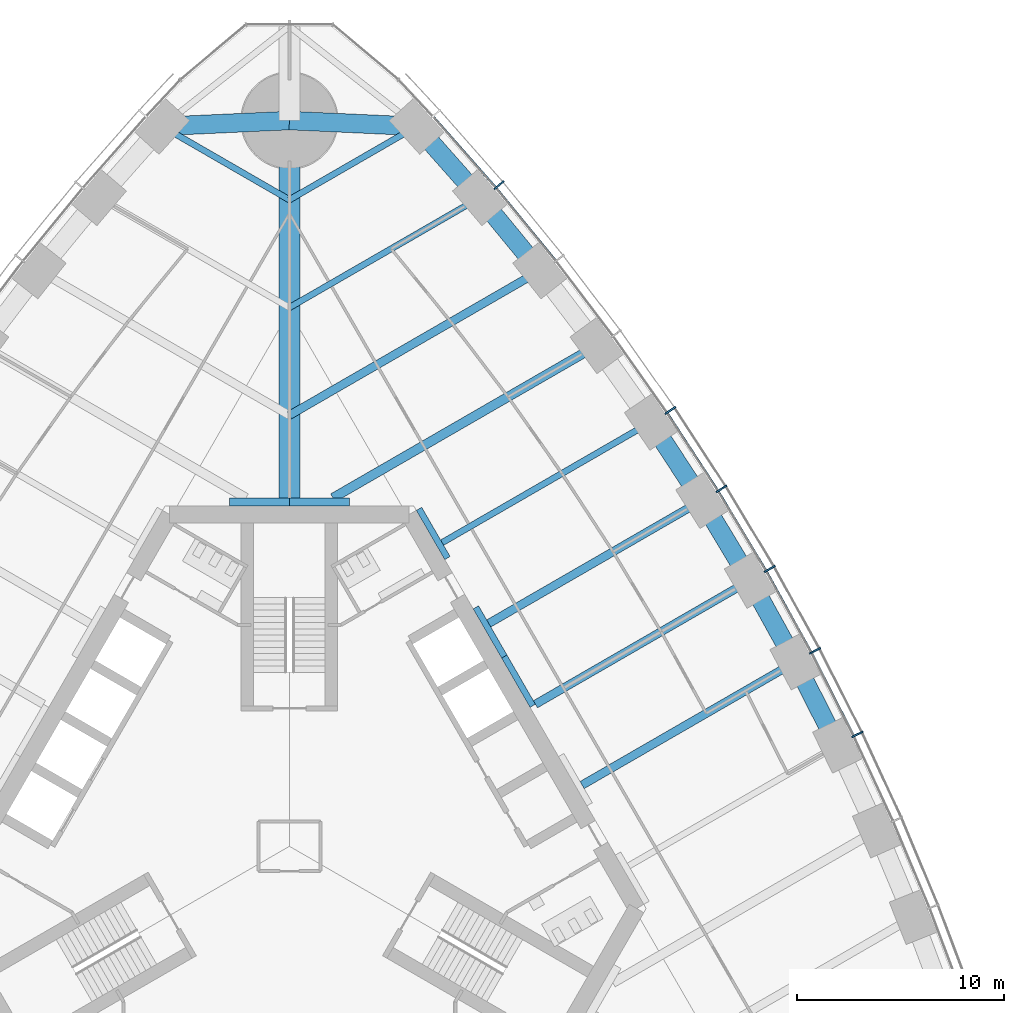
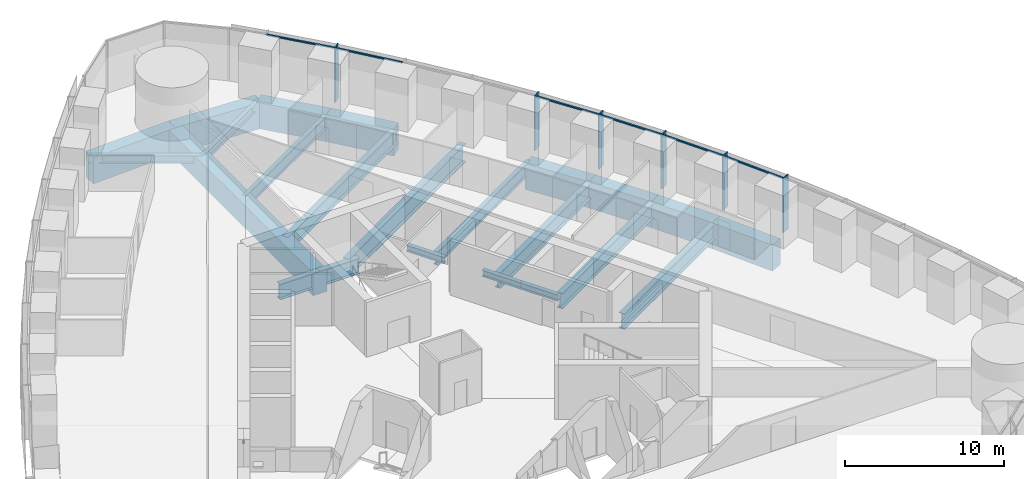
# One storey, part 5 of 18: 23 beams, 12 members, 1 element without a shape of its own.
"""IFC4 building model written with IfcOpenShell, lengths in metres."""

import ifcopenshell
import ifcopenshell.guid

model = None  # the IFC model being written
_history = None  # IfcOwnerHistory: only IFC2X3 demands one
_inside = {}  # id of a spatial element -> (the spatial element, [elements in it])
_under = {}  # id of a project, library or spatial element -> (it, [spatial elements below it])
_declared = {}  # id of a project -> (the project, [libraries it declares])
_typed = {}  # id of a type object -> (the type object, [elements of that type])
_made_of = {}  # id of a material, layer set ... -> (it, [elements and type objects made of it])


def new_model(schema):
    """Start an empty IFC model of exactly this schema.

    Asked for "IFC4X3", IfcOpenShell would pick the latest addendum, in which some entities
    have other attributes; the version numbers below select the first issue.
    IFC2X3 requires an IfcOwnerHistory on every rooted entity: one is made here for all.
    """
    global model, _history
    if schema == "IFC4X3":
        model = ifcopenshell.file(schema_version=(4, 3, 0, 0))
    else:
        model = ifcopenshell.file(schema=schema)
    _inside.clear()
    _under.clear()
    _declared.clear()
    _typed.clear()
    _made_of.clear()
    _history = None
    if model.schema == "IFC2X3":
        org = make("IfcOrganization", Name="unknown")
        user = make(
            "IfcPersonAndOrganization",
            ThePerson=make("IfcPerson", FamilyName="unknown"),
            TheOrganization=org,
        )
        app = make(
            "IfcApplication",
            ApplicationDeveloper=org,
            Version="unknown",
            ApplicationFullName="unknown",
            ApplicationIdentifier="unknown",
        )
        _history = make(
            "IfcOwnerHistory",
            OwningUser=user,
            OwningApplication=app,
            ChangeAction="ADDED",
            CreationDate=0,
        )
    return model


def make(cls, **values):
    """One entity of the class cls with the attributes given. An attribute that is None is left unset."""
    return model.create_entity(
        cls, **{name: value for name, value in values.items() if value is not None}
    )


def rooted(cls, **values):
    """An entity with a GlobalId (a new one), such as an element, a storey or a relation."""
    return make(cls, GlobalId=ifcopenshell.guid.new(), OwnerHistory=_history, **values)


def si_unit(unit_type, name, prefix=None):
    """IfcSIUnit, for example si_unit("LENGTHUNIT", "METRE", prefix="MILLI")."""
    return make("IfcSIUnit", UnitType=unit_type, Prefix=prefix, Name=name)


def assignment(units):
    """IfcUnitAssignment: the units of a project."""
    return None if units is None else make("IfcUnitAssignment", Units=units)


def point(xyz):
    """IfcCartesianPoint."""
    return None if xyz is None else make("IfcCartesianPoint", Coordinates=xyz)


def direction(xyz):
    """IfcDirection."""
    return None if xyz is None else make("IfcDirection", DirectionRatios=xyz)


def frame(location, z_axis=None, x_axis=None):
    """IfcAxis2Placement3D, a coordinate frame: its origin and axes. An axis left out is left unset."""
    return make(
        "IfcAxis2Placement3D",
        Location=point(location),
        Axis=direction(z_axis),
        RefDirection=direction(x_axis),
    )


def frame_2d(location, x_axis=None):
    """IfcAxis2Placement2D, a coordinate frame in the plane: its origin and x axis."""
    return make(
        "IfcAxis2Placement2D", Location=point(location), RefDirection=direction(x_axis)
    )


def origin():
    """The frame at (0, 0, 0) with its axes left unset."""
    return frame((0.0, 0.0, 0.0))


def origin_2d():
    """The frame at (0, 0) in the plane with its x axis left unset."""
    return frame_2d((0.0, 0.0))


def place(relative_to, where):
    """IfcLocalPlacement: puts the frame where relative to a parent placement (None: the world)."""
    return make(
        "IfcLocalPlacement", PlacementRelTo=relative_to, RelativePlacement=where
    )


def context(
    kind, dimensions, precision=None, world=None, true_north=None, identifier=None
):
    """IfcGeometricRepresentationContext, for example the 3D "Model" context."""
    return make(
        "IfcGeometricRepresentationContext",
        ContextIdentifier=identifier,
        ContextType=kind,
        CoordinateSpaceDimension=dimensions,
        Precision=precision,
        WorldCoordinateSystem=world,
        TrueNorth=true_north,
    )


def subcontext(parent, identifier, kind, view, scale=None):
    """IfcGeometricRepresentationSubContext, for example "Body" below "Model"."""
    return make(
        "IfcGeometricRepresentationSubContext",
        ContextIdentifier=identifier,
        ContextType=kind,
        ParentContext=parent,
        TargetScale=scale,
        TargetView=view,
    )


def project(units=None, contexts=None):
    """IfcProject with its units and contexts."""
    return rooted(
        "IfcProject",
        Name="project",
        RepresentationContexts=contexts,
        UnitsInContext=assignment(units),
    )


def spatial(cls, under=None, at=None, **own):
    """A site, building, storey or space (cls), placed at a placement, below another one or the project."""
    s = rooted(cls, ObjectPlacement=at, **own)
    if under is not None:
        _under.setdefault(under.id(), (under, []))[1].append(s)
    return s


def profile(cls, at=None, kind="AREA", **sizes):
    """A parametric profile (cls). Its sizes go by their IFC names, for example OverallWidth=200.0."""
    return make(cls, ProfileType=kind, Position=at, **sizes)


def rectangle(**sizes):
    """IfcRectangleProfileDef."""
    return profile("IfcRectangleProfileDef", **sizes)


def i_section(**sizes):
    """IfcIShapeProfileDef."""
    return profile("IfcIShapeProfileDef", **sizes)


def extrude(swept, where, along, depth):
    """IfcExtrudedAreaSolid: the profile swept, set in the frame where, extruded along a direction by depth."""
    return make(
        "IfcExtrudedAreaSolid",
        SweptArea=swept,
        Position=where,
        ExtrudedDirection=direction(along),
        Depth=depth,
    )


def shape(context_of_items, identifier, shape_type, items):
    """IfcShapeRepresentation: the items that make up one representation, for example the "Body"."""
    return make(
        "IfcShapeRepresentation",
        ContextOfItems=context_of_items,
        RepresentationIdentifier=identifier,
        RepresentationType=shape_type,
        Items=items,
    )


def material(Name=None, Category=None):
    """IfcMaterial."""
    return make("IfcMaterial", Name=Name, Category=Category)


def material_profile(
    of_material, cross_section, Name=None, Category=None, Priority=None
):
    """IfcMaterialProfile: a cross section and its material."""
    return make(
        "IfcMaterialProfile",
        Name=Name,
        Material=of_material,
        Profile=cross_section,
        Priority=Priority,
        Category=Category,
    )


def profile_set(profiles, Name=None, composite=None):
    """IfcMaterialProfileSet."""
    return make(
        "IfcMaterialProfileSet",
        Name=Name,
        MaterialProfiles=profiles,
        CompositeProfile=composite,
    )


def made_of(thing, what):
    """Note that an element or type object is made of a material, layer set ...; save() writes the relation."""
    if what is not None:
        _made_of.setdefault(what.id(), (what, []))[1].append(thing)
    return thing


def type_object(cls, material=None, **own):
    """A type object (cls), such as IfcWallType, which elements share."""
    return made_of(rooted(cls, **own), material)


def element(
    cls,
    number,
    at=None,
    inside=None,
    cuts=None,
    type_object=None,
    material=None,
    context=None,
    identifier="Body",
    shape_type=None,
    held_by="IfcProductDefinitionShape",
    body=None,
    shapes=None,
    **own,
):
    """One element of the class cls, such as IfcWall. Its Tag is "e" and its number.

    at: its placement. inside: the storey or other place that contains it. cuts: it is an
    opening in that element (IfcRelVoidsElement). A single representation is given by context,
    identifier, shape_type and body (its items); several are given by shapes. held_by: the class
    of the entity that holds the representations. save() writes the other relations.
    """
    e = rooted(cls, Tag="e%d" % number, ObjectPlacement=at, **own)
    if body is not None:
        shapes = [shape(context, identifier, shape_type, body)]
    if shapes is not None:
        e.Representation = make(held_by, Representations=shapes)
    if inside is not None:
        _inside.setdefault(inside.id(), (inside, []))[1].append(e)
    if cuts is not None:
        rooted(
            "IfcRelVoidsElement", RelatingBuildingElement=cuts, RelatedOpeningElement=e
        )
    if type_object is not None:
        _typed.setdefault(type_object.id(), (type_object, []))[1].append(e)
    return made_of(e, material)


def aggregate(whole, parts):
    """IfcRelAggregates: a whole, such as a stair, and the parts it consists of."""
    return rooted("IfcRelAggregates", RelatingObject=whole, RelatedObjects=parts)


def save(model, path):
    """Write the relations noted so far, then the file.

    IfcRelAggregates (storeys below a building ...), IfcRelContainedInSpatialStructure (elements
    in a storey), IfcRelDefinesByType, IfcRelAssociatesMaterial and IfcRelDeclares: one each for
    every whole, place, type object, material and project.
    """
    for whole, parts in _under.values():
        aggregate(whole, parts)
    for where, things in _inside.values():
        rooted(
            "IfcRelContainedInSpatialStructure",
            RelatedElements=things,
            RelatingStructure=where,
        )
    for kind, things in _typed.values():
        rooted("IfcRelDefinesByType", RelatedObjects=things, RelatingType=kind)
    for what, things in _made_of.values():
        rooted("IfcRelAssociatesMaterial", RelatedObjects=things, RelatingMaterial=what)
    for by, libraries in _declared.values():
        rooted("IfcRelDeclares", RelatingContext=by, RelatedDefinitions=libraries)
    model.write(path)


model = new_model("IFC4")

# Units and contexts
model_context = context("Model", 3, precision=1e-05, world=origin(), true_north=direction((0.0, 1.0)))
body_context = subcontext(model_context, "Body", "Model", "MODEL_VIEW")
ifc_project = project(units=[si_unit("LENGTHUNIT", "METRE"), si_unit("AREAUNIT", "SQUARE_METRE"), si_unit("VOLUMEUNIT", "CUBIC_METRE"), si_unit("PLANEANGLEUNIT", "RADIAN"), si_unit("MASSUNIT", "GRAM", prefix="KILO")], contexts=[model_context])

# Site, building, storey
site_placement = place(None, origin())
site = spatial("IfcSite", under=ifc_project, at=site_placement, CompositionType="ELEMENT")
building_placement = place(site_placement, origin())
building = spatial("IfcBuilding", under=site, at=building_placement, Name="Trefoil Bronze Tower", CompositionType="ELEMENT")
storey_placement = place(building_placement, frame((0.0, 0.0, 115.699951171875)))
storey = spatial("IfcBuildingStorey", under=building, at=storey_placement, Name="L26", CompositionType="ELEMENT", Elevation=115.699951171875)

# Curtain wall, members
ifc_material_1 = material(Name="Tinted solar-control glass", Category="glass")
curtain_wall_type = type_object("IfcCurtainWallType", Name="Bronze office curtain wall", PredefinedType="USERDEFINED", material=ifc_material_1)
curtain_wall_placement = place(storey_placement, origin())
curtain_wall = element("IfcCurtainWall", 1, at=curtain_wall_placement, inside=storey, type_object=curtain_wall_type, Name="CW-A L26 F2", ObjectType="CURTAIN WALL", PredefinedType="USERDEFINED")
ifc_material_2 = material(Name="Bronze-finish aluminium", Category="aluminium")
ifc_material_profile_1 = material_profile(ifc_material_2, rectangle(XDim=0.60009765625, YDim=0.080078125, at=origin_2d()), Name="CW-A mullion")
ifc_profile_set_1 = profile_set([ifc_material_profile_1], Name="Bronze-finish aluminium")
member_type_1 = type_object("IfcMemberType", Name="Bronze office curtain wall mullion", PredefinedType="MULLION", material=ifc_profile_set_1)
member_1_placement = place(storey_placement, frame((27.394775390625, 5.399169921875, 0.0), z_axis=(0.0, 0.0, 1.0), x_axis=(-0.899819602033, -0.436262173236, 0.0)))
member_1 = element("IfcMember", 2, at=member_1_placement, type_object=member_type_1, Name="CW-A L26 F2 mullion 6", PredefinedType="MULLION", context=body_context, shape_type="SweptSolid", body=[
    extrude(rectangle(XDim=0.60009765625, YDim=0.080078125, at=origin_2d()), origin(), (0.0, 0.0, 1.0), 4.179931640625),
])
member_2_placement = place(storey_placement, frame((25.350830078125, 9.427734375, 0.0), z_axis=(0.0, 0.0, 1.0), x_axis=(-0.883486441467, -0.468456729853, 0.0)))
member_2 = element("IfcMember", 3, at=member_2_placement, type_object=member_type_1, Name="CW-A L26 F2 mullion 7", PredefinedType="MULLION", context=body_context, shape_type="SweptSolid", body=[
    extrude(rectangle(XDim=0.60009765625, YDim=0.080078125, at=origin_2d()), origin(), (0.0, 0.0, 1.0), 4.179931640625),
])
member_3_placement = place(storey_placement, frame((23.166015625, 13.374755859375, 0.0), z_axis=(0.0, 0.0, 1.0), x_axis=(-0.866025403784, -0.5, 0.0)))
member_3 = element("IfcMember", 4, at=member_3_placement, type_object=member_type_1, Name="CW-A L26 F2 mullion 8", PredefinedType="MULLION", context=body_context, shape_type="SweptSolid", body=[
    extrude(rectangle(XDim=0.60009765625, YDim=0.080078125, at=origin_2d()), origin(), (0.0, 0.0, 1.0), 4.179931640625),
])
member_4_placement = place(storey_placement, frame((20.840087890625, 17.24072265625, 0.0), z_axis=(0.0, 0.0, 1.0), x_axis=(-0.84743864936, -0.530893337283, 0.0)))
member_4 = element("IfcMember", 5, at=member_4_placement, type_object=member_type_1, Name="CW-A L26 F2 mullion 9", PredefinedType="MULLION", context=body_context, shape_type="SweptSolid", body=[
    extrude(rectangle(XDim=0.60009765625, YDim=0.080078125, at=origin_2d()), origin(), (0.0, 0.0, 1.0), 4.179931640625),
])
member_5_placement = place(storey_placement, frame((18.373046875, 21.025146484375, 0.0), z_axis=(0.0, 0.0, 1.0), x_axis=(-0.827723925749, -0.561135547566, 0.0)))
member_5 = element("IfcMember", 6, at=member_5_placement, type_object=member_type_1, Name="CW-A L26 F2 mullion 10", PredefinedType="MULLION", context=body_context, shape_type="SweptSolid", body=[
    extrude(rectangle(XDim=0.60009765625, YDim=0.080078125, at=origin_2d()), origin(), (0.0, 0.0, 1.0), 4.179931640625),
])
member_6_placement = place(storey_placement, frame((10.11474609375, 31.8828125, 0.0), z_axis=(0.0, 0.0, 1.0), x_axis=(-0.761721651066, -0.647904411389, 0.0)))
member_6 = element("IfcMember", 7, at=member_6_placement, type_object=member_type_1, Name="CW-A L26 F2 mullion 13", PredefinedType="MULLION", context=body_context, shape_type="SweptSolid", body=[
    extrude(rectangle(XDim=0.60009765625, YDim=0.080078125, at=origin_2d()), origin(), (0.0, 0.0, 1.0), 4.179931640625),
])
ifc_material_3 = material(Name="Bronze-finish aluminium", Category="aluminium")
ifc_material_profile_2 = material_profile(ifc_material_3, rectangle(XDim=0.1201171875, YDim=0.10009765625, at=origin_2d()), Name="CW-A transom")
ifc_profile_set_2 = profile_set([ifc_material_profile_2], Name="Bronze-finish aluminium")
member_type_2 = type_object("IfcMemberType", Name="Bronze office curtain wall transom", PredefinedType="USERDEFINED", material=ifc_profile_set_2)
member_7_placement = place(storey_placement, frame((27.196044921875, 5.34912109375, 4.130126953125), z_axis=(-0.452478489814, 0.891775317138, 0.0), x_axis=(-0.891775317138, -0.452478489814, 0.0)))
member_7 = element("IfcMember", 8, at=member_7_placement, type_object=member_type_2, Name="CW-A L26 F2 transom 6", ObjectType="TRANSOM", PredefinedType="USERDEFINED", context=body_context, shape_type="SweptSolid", body=[
    extrude(rectangle(XDim=0.1201171875, YDim=0.10009765625, at=origin_2d()), origin(), (0.0, 0.0, 1.0), 4.426513671875),
])
member_8_placement = place(storey_placement, frame((25.154052734375, 9.37060546875, 4.130126953125), z_axis=(-0.484329470343, 0.874885686337, 0.0), x_axis=(-0.874885686337, -0.484329470343, 0.0)))
member_8 = element("IfcMember", 9, at=member_8_placement, type_object=member_type_2, Name="CW-A L26 F2 transom 7", ObjectType="TRANSOM", PredefinedType="USERDEFINED", context=body_context, shape_type="SweptSolid", body=[
    extrude(rectangle(XDim=0.1201171875, YDim=0.10009765625, at=origin_2d()), origin(), (0.0, 0.0, 1.0), 4.4208984375),
])
member_9_placement = place(storey_placement, frame((22.97119140625, 13.310546875, 4.130126953125), z_axis=(-0.515526794174, 0.856873458854, 0.0), x_axis=(-0.856873458854, -0.515526794174, 0.0)))
member_9 = element("IfcMember", 10, at=member_9_placement, type_object=member_type_2, Name="CW-A L26 F2 transom 8", ObjectType="TRANSOM", PredefinedType="USERDEFINED", context=body_context, shape_type="SweptSolid", body=[
    extrude(rectangle(XDim=0.1201171875, YDim=0.10009765625, at=origin_2d()), origin(), (0.0, 0.0, 1.0), 4.4208984375),
])
member_10_placement = place(storey_placement, frame((20.647705078125, 17.16943359375, 4.130126953125), z_axis=(-0.546079336226, 0.837733465099, 0.0), x_axis=(-0.837733465099, -0.546079336226, 0.0)))
member_10 = element("IfcMember", 11, at=member_10_placement, type_object=member_type_2, Name="CW-A L26 F2 transom 9", ObjectType="TRANSOM", PredefinedType="USERDEFINED", context=body_context, shape_type="SweptSolid", body=[
    extrude(rectangle(XDim=0.1201171875, YDim=0.10009765625, at=origin_2d()), origin(), (0.0, 0.0, 1.0), 4.426513671875),
])
member_11_placement = place(storey_placement, frame((12.82861328125, 28.255615234375, 4.130126953125), z_axis=(-0.633848872297, 0.773456919995, 0.0), x_axis=(-0.773456919995, -0.633848872297, 0.0)))
member_11 = element("IfcMember", 12, at=member_11_placement, type_object=member_type_2, Name="CW-A L26 F2 transom 12", ObjectType="TRANSOM", PredefinedType="USERDEFINED", context=body_context, shape_type="SweptSolid", body=[
    extrude(rectangle(XDim=0.1201171875, YDim=0.10009765625, at=origin_2d()), origin(), (0.0, 0.0, 1.0), 4.480224609375),
])
member_12_placement = place(storey_placement, frame((9.9345703125, 31.78466796875, 4.130126953125), z_axis=(-0.66173618877, 0.749736764786, 0.0), x_axis=(-0.749736764786, -0.66173618877, 0.0)))
member_12 = element("IfcMember", 13, at=member_12_placement, type_object=member_type_2, Name="CW-A L26 F2 transom 13", ObjectType="TRANSOM", PredefinedType="USERDEFINED", context=body_context, shape_type="SweptSolid", body=[
    extrude(rectangle(XDim=0.1201171875, YDim=0.10009765625, at=origin_2d()), origin(), (0.0, 0.0, 1.0), 4.510986328125),
])
aggregate(curtain_wall, [member_1, member_2, member_3, member_4, member_5, member_6, member_7, member_8, member_9, member_10, member_11, member_12])

# Beams
ifc_material_4 = material(Name="Steel C355", Category="steel")
ifc_material_profile_3 = material_profile(ifc_material_4, i_section(OverallWidth=0.300048828125, OverallDepth=0.5, WebThickness=0.014404296875, FlangeThickness=0.028076171875, FilletRadius=0.027099609375, at=origin_2d()), Name="HEB 500")
ifc_profile_set_3 = profile_set([ifc_material_profile_3], Name="Steel C355")
beam_type_1 = type_object("IfcBeamType", Name="Core seat beam HEB 500", PredefinedType="BEAM", material=ifc_profile_set_3)
for number, where, z_axis, x_axis, name in (
    (14, (11.734619140625, 6.77490234375, -0.449951171875), (-0.499969057507, 0.866043267704, 0.0), (-0.866043267704, -0.499969057507, 0.0), "Core seat beam F2/+0 L26"),
    (15, (10.363525390625, 9.14990234375, -0.449951171875), (-0.500035825175, 0.866004719122, 0.0), (-0.866004719122, -0.500035825175, 0.0), "Core seat beam F2/+1 L26"),
    (16, (7.62109375, 13.89990234375, -0.449951171875), (-0.500035825175, 0.866004719122, 0.0), (-0.866004719122, -0.500035825175, 0.0), "Core seat beam F2/+2 L26"),
):
    element("IfcBeam", number, at=place(storey_placement, frame(where, z_axis=z_axis, x_axis=x_axis)), inside=storey, type_object=beam_type_1, Name=name, PredefinedType="BEAM", context=body_context, shape_type="SweptSolid", body=[
        extrude(i_section(OverallWidth=0.300048828125, OverallDepth=0.5, WebThickness=0.014404296875, FlangeThickness=0.028076171875, FilletRadius=0.027099609375, at=origin_2d()), origin(), (0.0, 0.0, 1.0), 2.742431640625),
    ])
ifc_material_5 = material(Name="Steel C355", Category="steel")
ifc_material_profile_4 = material_profile(ifc_material_5, i_section(OverallWidth=0.39990234375, OverallDepth=1.199951171875, WebThickness=0.02001953125, FlangeThickness=0.0400390625, FilletRadius=0.010009765625, at=origin_2d()), Name="WPG 1200")
ifc_profile_set_4 = profile_set([ifc_material_profile_4], Name="Steel C355")
beam_type_2 = type_object("IfcBeamType", Name="Core seat beam WPG 1200", PredefinedType="BEAM", material=ifc_profile_set_4)
for number, where, z_axis, x_axis, name in (
    (17, (2.88671875, 16.60009765625, -0.800048828125), (-1.0, 0.0, 0.0), (0.0, -1.0, 0.0), "Core seat beam F2/+3 L26"),
    (18, (0.0, 16.60009765625, -0.800048828125), (-1.0, 0.0, 0.0), (0.0, -1.0, 0.0), "Core seat beam F3/-3 L26"),
):
    element("IfcBeam", number, at=place(storey_placement, frame(where, z_axis=z_axis, x_axis=x_axis)), inside=storey, type_object=beam_type_2, Name=name, PredefinedType="BEAM", context=body_context, shape_type="SweptSolid", body=[
        extrude(i_section(OverallWidth=0.39990234375, OverallDepth=1.199951171875, WebThickness=0.02001953125, FlangeThickness=0.0400390625, FilletRadius=0.010009765625, at=origin_2d()), origin(), (0.0, 0.0, 1.0), 2.88671875),
    ])
ifc_material_6 = material(Name="Concrete B80", Category="concrete")
ifc_material_profile_5 = material_profile(ifc_material_6, rectangle(XDim=1.0, YDim=1.699951171875, at=origin_2d()), Name="RC 1000x1700")
ifc_profile_set_5 = profile_set([ifc_material_profile_5], Name="Concrete B80")
beam_type_3 = type_object("IfcBeamType", Name="Corner girder RC 1000x1700", PredefinedType="BEAM", material=ifc_profile_set_5)
beam_1_placement = place(storey_placement, frame((0.0, 16.39990234375, -1.050048828125), z_axis=(0.0, 1.0, 0.0), x_axis=(-1.0, 0.0, 0.0)))
element("IfcBeam", 19, at=beam_1_placement, inside=storey, type_object=beam_type_3, Name="Corner girder K2 L26", PredefinedType="BEAM", context=body_context, shape_type="SweptSolid", body=[
    extrude(rectangle(XDim=1.0, YDim=1.699951171875, at=origin_2d()), origin(), (0.0, 0.0, 1.0), 18.60009765625),
])
ifc_material_7 = material(Name="Concrete B80", Category="concrete")
ifc_material_profile_6 = material_profile(ifc_material_7, rectangle(XDim=0.89990234375, YDim=2.0, at=origin_2d()), Name="RC 900x2000")
ifc_profile_set_6 = profile_set([ifc_material_profile_6], Name="Concrete B80")
beam_type_4 = type_object("IfcBeamType", Name="End spandrel beam RC 900x2000", PredefinedType="SPANDREL", material=ifc_profile_set_6)
for number, where, z_axis, x_axis, name in (
    (20, (6.13916015625, 34.72119140625, -1.199951171875), (-0.998970341464, 0.045368015985, 0.0), (-0.045368015985, -0.998970341464, 0.0), "Spandrel F2.14 L26"),
    (21, (0.0, 35.0, -1.199951171875), (-0.998970341464, -0.045368015985, 0.0), (0.045368015985, -0.998970341464, 0.0), "Spandrel F3.1 L26"),
):
    element("IfcBeam", number, at=place(storey_placement, frame(where, z_axis=z_axis, x_axis=x_axis)), inside=storey, type_object=beam_type_4, Name=name, PredefinedType="SPANDREL", context=body_context, shape_type="SweptSolid", body=[
        extrude(rectangle(XDim=0.89990234375, YDim=2.0, at=origin_2d()), origin(), (0.0, 0.0, 1.0), 6.1455078125),
    ])
ifc_material_8 = material(Name="Steel C355", Category="steel")
ifc_material_profile_7 = material_profile(ifc_material_8, i_section(OverallWidth=0.300048828125, OverallDepth=1.0, WebThickness=0.01904296875, FlangeThickness=0.035888671875, FilletRadius=0.030029296875, at=origin_2d()), Name="HEB 1000")
ifc_profile_set_7 = profile_set([ifc_material_profile_7], Name="Steel C355")
beam_type_5 = type_object("IfcBeamType", Name="Floor beam HEB 1000", PredefinedType="BEAM", material=ifc_profile_set_7)
beam_2_placement = place(storey_placement, frame((9.181884765625, 31.281982421875, -0.699951171875), z_axis=(-0.866021079084, -0.500007490527, 0.0), x_axis=(0.500007490527, -0.866021079084, 0.0)))
element("IfcBeam", 22, at=beam_2_placement, inside=storey, type_object=beam_type_5, Name="Floor beam F2/+5 L26", PredefinedType="BEAM", context=body_context, shape_type="SweptSolid", body=[
    extrude(i_section(OverallWidth=0.300048828125, OverallDepth=1.0, WebThickness=0.01904296875, FlangeThickness=0.035888671875, FilletRadius=0.030029296875, at=origin_2d()), origin(), (0.0, 0.0, 1.0), 10.602294921875),
])
ifc_material_9 = material(Name="Steel C355", Category="steel")
ifc_material_profile_8 = material_profile(ifc_material_9, i_section(OverallWidth=0.300048828125, OverallDepth=0.60009765625, WebThickness=0.015380859375, FlangeThickness=0.030029296875, FilletRadius=0.027099609375, at=origin_2d()), Name="HEB 600")
ifc_profile_set_8 = profile_set([ifc_material_profile_8], Name="Steel C355")
beam_type_6 = type_object("IfcBeamType", Name="Floor beam HEB 600", PredefinedType="BEAM", material=ifc_profile_set_8)
for number, where, z_axis, x_axis, name in (
    (23, (6.13916015625, 34.72119140625, -0.5), (-0.866041060244, -0.499972881236, 0.0), (0.499972881236, -0.866041060244, 0.0), "Floor beam F2/+6 L26"),
    (24, (-6.13916015625, 34.72119140625, -0.5), (0.866041060244, -0.499972881236, 0.0), (0.499972881236, 0.866041060244, 0.0), "Floor beam F3/-6 L26"),
):
    element("IfcBeam", number, at=place(storey_placement, frame(where, z_axis=z_axis, x_axis=x_axis)), inside=storey, type_object=beam_type_6, Name=name, PredefinedType="BEAM", context=body_context, shape_type="SweptSolid", body=[
        extrude(i_section(OverallWidth=0.300048828125, OverallDepth=0.60009765625, WebThickness=0.015380859375, FlangeThickness=0.030029296875, FilletRadius=0.027099609375, at=origin_2d()), origin(), (0.0, 0.0, 1.0), 7.0888671875),
    ])
ifc_material_10 = material(Name="Steel C355", Category="steel")
ifc_material_profile_9 = material_profile(ifc_material_10, i_section(OverallWidth=0.302001953125, OverallDepth=1.008056640625, WebThickness=0.02099609375, FlangeThickness=0.0400390625, FilletRadius=0.030029296875, at=origin_2d()), Name="HEM 1000")
ifc_profile_set_9 = profile_set([ifc_material_profile_9], Name="Steel C355")
beam_type_7 = type_object("IfcBeamType", Name="Floor beam HEM 1000", PredefinedType="BEAM", material=ifc_profile_set_9)
beam_3_placement = place(storey_placement, frame((17.43017578125, 20.45556640625, -0.703857421875), z_axis=(-0.866030626868, -0.499990953245, 0.0), x_axis=(0.499990953245, -0.866030626868, 0.0)))
element("IfcBeam", 25, at=beam_3_placement, inside=storey, type_object=beam_type_7, Name="Floor beam F2/+2 L26", PredefinedType="BEAM", context=body_context, shape_type="SweptSolid", body=[
    extrude(i_section(OverallWidth=0.302001953125, OverallDepth=1.008056640625, WebThickness=0.02099609375, FlangeThickness=0.0400390625, FilletRadius=0.030029296875, at=origin_2d()), origin(), (0.0, 0.0, 1.0), 11.622802734375),
])
ifc_material_11 = material(Name="Steel C355", Category="steel")
ifc_material_profile_10 = material_profile(ifc_material_11, i_section(OverallWidth=0.39990234375, OverallDepth=1.199951171875, WebThickness=0.02001953125, FlangeThickness=0.0400390625, FilletRadius=0.010009765625, at=origin_2d()), Name="WPG 1200")
ifc_profile_set_10 = profile_set([ifc_material_profile_10], Name="Steel C355")
beam_type_8 = type_object("IfcBeamType", Name="Floor beam WPG 1200", PredefinedType="BEAM", material=ifc_profile_set_10)
beam_4_placement = place(storey_placement, frame((24.392578125, 8.886962890625, -0.800048828125), z_axis=(-0.866024236736, -0.500002021381, 0.0), x_axis=(0.500002021381, -0.866024236736, 0.0)))
element("IfcBeam", 26, at=beam_4_placement, inside=storey, type_object=beam_type_8, Name="Floor beam F2/-1 L26", PredefinedType="BEAM", context=body_context, shape_type="SweptSolid", body=[
    extrude(i_section(OverallWidth=0.39990234375, OverallDepth=1.199951171875, WebThickness=0.02001953125, FlangeThickness=0.0400390625, FilletRadius=0.010009765625, at=origin_2d()), origin(), (0.0, 0.0, 1.0), 11.8681640625),
])
beam_5_placement = place(storey_placement, frame((22.21337890625, 12.824951171875, -0.800048828125), z_axis=(-0.866028062731, -0.499995394541, 0.0), x_axis=(0.499995394541, -0.866028062731, 0.0)))
element("IfcBeam", 27, at=beam_5_placement, inside=storey, type_object=beam_type_8, Name="Floor beam F2/+0 L26", PredefinedType="BEAM", context=body_context, shape_type="SweptSolid", body=[
    extrude(i_section(OverallWidth=0.39990234375, OverallDepth=1.199951171875, WebThickness=0.02001953125, FlangeThickness=0.0400390625, FilletRadius=0.010009765625, at=origin_2d()), origin(), (0.0, 0.0, 1.0), 11.94970703125),
])
beam_6_placement = place(storey_placement, frame((19.892578125, 16.68115234375, -0.800048828125), z_axis=(-0.866024236736, -0.500002021381, 0.0), x_axis=(0.500002021381, -0.866024236736, 0.0)))
element("IfcBeam", 28, at=beam_6_placement, inside=storey, type_object=beam_type_8, Name="Floor beam F2/+1 L26", PredefinedType="BEAM", context=body_context, shape_type="SweptSolid", body=[
    extrude(i_section(OverallWidth=0.39990234375, OverallDepth=1.199951171875, WebThickness=0.02001953125, FlangeThickness=0.0400390625, FilletRadius=0.010009765625, at=origin_2d()), origin(), (0.0, 0.0, 1.0), 11.8681640625),
])
beam_7_placement = place(storey_placement, frame((12.07666015625, 27.757080078125, -0.800048828125), z_axis=(-0.866026983775, -0.499997263366, 0.0), x_axis=(0.499997263366, -0.866026983775, 0.0)))
element("IfcBeam", 29, at=beam_7_placement, inside=storey, type_object=beam_type_8, Name="Floor beam F2/+4 L26", PredefinedType="BEAM", context=body_context, shape_type="SweptSolid", body=[
    extrude(i_section(OverallWidth=0.39990234375, OverallDepth=1.199951171875, WebThickness=0.02001953125, FlangeThickness=0.0400390625, FilletRadius=0.010009765625, at=origin_2d()), origin(), (0.0, 0.0, 1.0), 13.94482421875),
])
ifc_material_12 = material(Name="Steel C355", Category="steel")
ifc_material_profile_11 = material_profile(ifc_material_12, i_section(OverallWidth=0.449951171875, OverallDepth=1.39990234375, WebThickness=0.02294921875, FlangeThickness=0.044921875, FilletRadius=0.011962890625, at=origin_2d()), Name="WPG 1400")
ifc_profile_set_11 = profile_set([ifc_material_profile_11], Name="Steel C355")
beam_type_9 = type_object("IfcBeamType", Name="Floor beam WPG 1400", PredefinedType="BEAM", material=ifc_profile_set_11)
beam_8_placement = place(storey_placement, frame((14.825439453125, 24.14794921875, -0.89990234375), z_axis=(-0.866027342682, -0.499996641717, 0.0), x_axis=(0.499996641717, -0.866027342682, 0.0)))
element("IfcBeam", 30, at=beam_8_placement, inside=storey, type_object=beam_type_9, Name="Floor beam F2/+3 L26", PredefinedType="BEAM", context=body_context, shape_type="SweptSolid", body=[
    extrude(i_section(OverallWidth=0.449951171875, OverallDepth=1.39990234375, WebThickness=0.02294921875, FlangeThickness=0.044921875, FilletRadius=0.011962890625, at=origin_2d()), origin(), (0.0, 0.0, 1.0), 14.69580078125),
])
ifc_material_13 = material(Name="Concrete B80", Category="concrete")
ifc_material_profile_12 = material_profile(ifc_material_13, rectangle(XDim=0.89990234375, YDim=2.0, at=origin_2d()), Name="RC 900x2000")
ifc_profile_set_12 = profile_set([ifc_material_profile_12], Name="Concrete B80")
beam_type_10 = type_object("IfcBeamType", Name="Spandrel beam RC 900x2000", PredefinedType="SPANDREL", material=ifc_profile_set_12)
beam_9_placement = place(storey_placement, frame((26.43017578125, 4.8671875, -1.199951171875), z_axis=(-0.452125717735, 0.891954222683, 0.0), x_axis=(-0.891954222683, -0.452125717735, 0.0)))
element("IfcBeam", 31, at=beam_9_placement, inside=storey, type_object=beam_type_10, Name="Spandrel F2.6 L26", PredefinedType="SPANDREL", context=body_context, shape_type="SweptSolid", body=[
    extrude(rectangle(XDim=0.89990234375, YDim=2.0, at=origin_2d()), origin(), (0.0, 0.0, 1.0), 4.506591796875),
])
for number, where, z_axis, x_axis, name in (
    (32, (24.392578125, 8.886962890625, -1.199951171875), (-0.484186866546, 0.874964615436, 0.0), (-0.874964615436, -0.484186866546, 0.0), "Spandrel F2.7 L26"),
    (33, (22.21337890625, 12.824951171875, -1.199951171875), (-0.515651979972, 0.856798129988, 0.0), (-0.856798129988, -0.515651979972, 0.0), "Spandrel F2.8 L26"),
):
    element("IfcBeam", number, at=place(storey_placement, frame(where, z_axis=z_axis, x_axis=x_axis)), inside=storey, type_object=beam_type_10, Name=name, PredefinedType="SPANDREL", context=body_context, shape_type="SweptSolid", body=[
        extrude(rectangle(XDim=0.89990234375, YDim=2.0, at=origin_2d()), origin(), (0.0, 0.0, 1.0), 4.500732421875),
    ])
beam_10_placement = place(storey_placement, frame((19.892578125, 16.68115234375, -1.199951171875), z_axis=(-0.546396670296, 0.83752652417, 0.0), x_axis=(-0.83752652417, -0.546396670296, 0.0)))
element("IfcBeam", 34, at=beam_10_placement, inside=storey, type_object=beam_type_10, Name="Spandrel F2.9 L26", PredefinedType="SPANDREL", context=body_context, shape_type="SweptSolid", body=[
    extrude(rectangle(XDim=0.89990234375, YDim=2.0, at=origin_2d()), origin(), (0.0, 0.0, 1.0), 4.506591796875),
])
beam_11_placement = place(storey_placement, frame((12.07666015625, 27.757080078125, -1.199951171875), z_axis=(-0.634650386838, 0.772799383079, 0.0), x_axis=(-0.772799383079, -0.634650386838, 0.0)))
element("IfcBeam", 35, at=beam_11_placement, inside=storey, type_object=beam_type_10, Name="Spandrel F2.12 L26", PredefinedType="SPANDREL", context=body_context, shape_type="SweptSolid", body=[
    extrude(rectangle(XDim=0.89990234375, YDim=2.0, at=origin_2d()), origin(), (0.0, 0.0, 1.0), 4.561279296875),
])
beam_12_placement = place(storey_placement, frame((9.181884765625, 31.281982421875, -1.199951171875), z_axis=(-0.662616326239, 0.748959013699, 0.0), x_axis=(-0.748959013699, -0.662616326239, 0.0)))
element("IfcBeam", 36, at=beam_12_placement, inside=storey, type_object=beam_type_10, Name="Spandrel F2.13 L26", PredefinedType="SPANDREL", context=body_context, shape_type="SweptSolid", body=[
    extrude(rectangle(XDim=0.89990234375, YDim=2.0, at=origin_2d()), origin(), (0.0, 0.0, 1.0), 4.592041015625),
])

save(model, "model.ifc")
